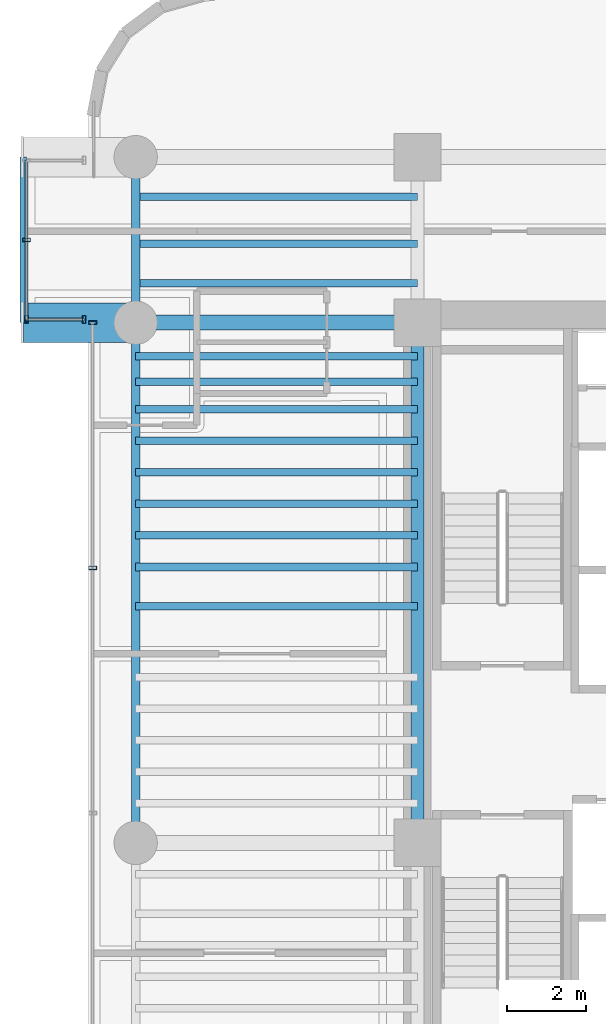
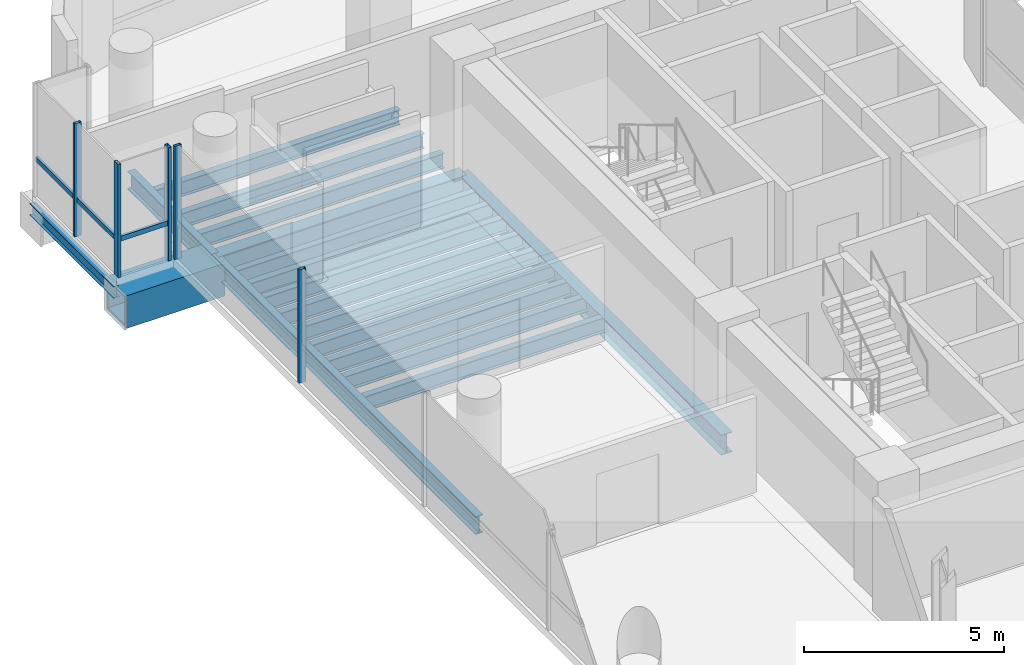
# One storey, part 8 of 35: 18 beams, 7 members, 3 elements without a shape of their own.
"""IFC4 building model written with IfcOpenShell, lengths in metres."""

from ifc_helpers import new_model, si_unit, direction, frame, origin, origin_2d, place, context, subcontext, project, spatial, hollow_rectangle, i_section, extrude, source, transform, mapped, material, material_profile, profile_set, type_object, element, aggregate, save


model = new_model("IFC4")

# Units and contexts
model_context = context("Model", 3, precision=1e-05, world=origin(), true_north=direction((0.0, 1.0)))
body_context = subcontext(model_context, "Body", "Model", "MODEL_VIEW")
ifc_project = project(units=[si_unit("LENGTHUNIT", "METRE"), si_unit("AREAUNIT", "SQUARE_METRE"), si_unit("VOLUMEUNIT", "CUBIC_METRE"), si_unit("PLANEANGLEUNIT", "RADIAN"), si_unit("MASSUNIT", "GRAM", prefix="KILO")], contexts=[model_context])

# Site, building, storey
site_placement = place(None, origin())
site = spatial("IfcSite", under=ifc_project, at=site_placement, CompositionType="ELEMENT")
building_placement = place(site_placement, origin())
building = spatial("IfcBuilding", under=site, at=building_placement, Name="Valdorenza Pilgrim Sanctuary Tower", CompositionType="ELEMENT")
storey_placement = place(building_placement, frame((0.0, 0.0, 124.199951171875)))
storey = spatial("IfcBuildingStorey", under=building, at=storey_placement, Name="L31", CompositionType="ELEMENT", Elevation=124.199951171875)

# Beams
ifc_material_1 = material(Name="Steel ASTM A992 Grade 50", Category="steel")
ifc_material_profile_1 = material_profile(ifc_material_1, i_section(OverallWidth=0.214111328125, OverallDepth=0.549072265625, WebThickness=0.0146484375, FlangeThickness=0.023681640625, at=origin_2d()), Name="W21X93")
ifc_profile_set_1 = profile_set([ifc_material_profile_1], Name="Steel ASTM A992 Grade 50")
beam_type_1 = type_object("IfcBeamType", Name="STR-BM-SPN-W21A", PredefinedType="SPANDREL", material=ifc_profile_set_1)
shared_shape_1 = source(origin(), body_context, "Body", "SweptSolid", [
    extrude(i_section(OverallWidth=0.214111328125, OverallDepth=0.549072265625, WebThickness=0.0146484375, FlangeThickness=0.023681640625, at=origin_2d()), origin(), (0.0, 0.0, 1.0), 13.2001953125),
])
beam_1_placement = place(storey_placement, frame((-29.800048828125, -2.60009765625, -0.514404296875), z_axis=(0.0, 1.0, 0.0), x_axis=(-1.0, 0.0, 0.0)))
element("IfcBeam", 1, at=beam_1_placement, inside=storey, type_object=beam_type_1, Name="L31 Spandrel Beam WA-W-M0N1", PredefinedType="SPANDREL", context=body_context, shape_type="MappedRepresentation", body=[
    mapped(shared_shape_1, transform((0.0, 0.0, 0.0), x_axis=(1.0, 0.0, 0.0), y_axis=(0.0, 1.0, 0.0), z_axis=(0.0, 0.0, 1.0), scale=1.0)),
])
ifc_material_profile_2 = material_profile(ifc_material_1, i_section(OverallWidth=0.323974609375, OverallDepth=0.611083984375, WebThickness=0.0126953125, FlangeThickness=0.01904296875, at=origin_2d()), Name="W24X104")
ifc_profile_set_2 = profile_set([ifc_material_profile_2], Name="Steel ASTM A992 Grade 50")
beam_type_2 = type_object("IfcBeamType", Name="STR-BM-GRD-W24B", PredefinedType="BEAM", material=ifc_profile_set_2)
shared_shape_2 = source(origin(), body_context, "Body", "SweptSolid", [
    extrude(i_section(OverallWidth=0.323974609375, OverallDepth=0.611083984375, WebThickness=0.0126953125, FlangeThickness=0.01904296875, at=origin_2d()), origin(), (0.0, 0.0, 1.0), 13.2001953125),
])
beam_2_placement = place(storey_placement, frame((-22.64990234375, -2.60009765625, -0.54541015625), z_axis=(0.0, 1.0, 0.0), x_axis=(-1.0, 0.0, 0.0)))
element("IfcBeam", 2, at=beam_2_placement, inside=storey, type_object=beam_type_2, Name="L31 Core Tie Girder CA-W-M0N1", PredefinedType="BEAM", context=body_context, shape_type="MappedRepresentation", body=[
    mapped(shared_shape_2, transform((0.0, 0.0, 0.0), x_axis=(1.0, 0.0, 0.0), y_axis=(0.0, 1.0, 0.0), z_axis=(0.0, 0.0, 1.0), scale=1.0)),
])
shared_shape_3 = source(origin(), body_context, "Body", "SweptSolid", [
    extrude(i_section(OverallWidth=0.214111328125, OverallDepth=0.549072265625, WebThickness=0.0146484375, FlangeThickness=0.023681640625, at=origin_2d()), origin(), (0.0, 0.0, 1.0), 4.199951171875),
])
beam_3_placement = place(storey_placement, frame((-29.800048828125, 10.60009765625, -0.514404296875), z_axis=(0.0, 1.0, 0.0), x_axis=(-1.0, 0.0, 0.0)))
element("IfcBeam", 3, at=beam_3_placement, inside=storey, type_object=beam_type_1, Name="L31 Spandrel Beam WA-W-N1N2", PredefinedType="SPANDREL", context=body_context, shape_type="MappedRepresentation", body=[
    mapped(shared_shape_3, transform((0.0, 0.0, 0.0), x_axis=(1.0, 0.0, 0.0), y_axis=(0.0, 1.0, 0.0), z_axis=(0.0, 0.0, 1.0), scale=1.0)),
])
ifc_material_profile_3 = material_profile(ifc_material_1, i_section(OverallWidth=0.1708984375, OverallDepth=0.35107421875, WebThickness=0.0068359375, FlangeThickness=0.009765625, at=origin_2d()), Name="W14X30")
ifc_profile_set_3 = profile_set([ifc_material_profile_3], Name="Steel ASTM A992 Grade 50")
beam_type_3 = type_object("IfcBeamType", Name="STR-BM-BOX-W14", PredefinedType="BEAM", material=ifc_profile_set_3)
shared_shape_4 = source(origin(), body_context, "Body", "SweptSolid", [
    extrude(i_section(OverallWidth=0.1708984375, OverallDepth=0.35107421875, WebThickness=0.0068359375, FlangeThickness=0.009765625, at=origin_2d()), origin(), (0.0, 0.0, 1.0), 4.199951171875),
])
beam_4_placement = place(storey_placement, frame((-32.64990234375, 10.60009765625, -0.41552734375), z_axis=(0.0, 1.0, 0.0), x_axis=(-1.0, 0.0, 0.0)))
element("IfcBeam", 4, at=beam_4_placement, inside=storey, type_object=beam_type_3, Name="L31 Glass Box Edge Beam BOX-WA-L31-F", PredefinedType="BEAM", context=body_context, shape_type="MappedRepresentation", body=[
    mapped(shared_shape_4, transform((0.0, 0.0, 0.0), x_axis=(1.0, 0.0, 0.0), y_axis=(0.0, 1.0, 0.0), z_axis=(0.0, 0.0, 1.0), scale=1.0)),
])
ifc_material_profile_4 = material_profile(ifc_material_1, i_section(OverallWidth=0.382080078125, OverallDepth=0.779052734375, WebThickness=0.01806640625, FlangeThickness=0.030029296875, at=origin_2d()), Name="W30X191")
ifc_profile_set_4 = profile_set([ifc_material_profile_4], Name="Steel ASTM A992 Grade 50")
beam_type_4 = type_object("IfcBeamType", Name="STR-BM-GRD-W30", PredefinedType="BEAM", material=ifc_profile_set_4)
shared_shape_5 = source(origin(), body_context, "Body", "SweptSolid", [
    extrude(i_section(OverallWidth=0.382080078125, OverallDepth=0.779052734375, WebThickness=0.01806640625, FlangeThickness=0.030029296875, at=origin_2d()), origin(), (0.0, 0.0, 1.0), 7.150146484375),
])
beam_5_placement = place(storey_placement, frame((-29.800048828125, 10.60009765625, -0.62939453125), z_axis=(1.0, 0.0, 0.0), x_axis=(0.0, 1.0, 0.0)))
element("IfcBeam", 5, at=beam_5_placement, inside=storey, type_object=beam_type_4, Name="L31 Floor Girder WA-XW-N1", PredefinedType="BEAM", context=body_context, shape_type="MappedRepresentation", body=[
    mapped(shared_shape_5, transform((0.0, 0.0, 0.0), x_axis=(1.0, 0.0, 0.0), y_axis=(0.0, 1.0, 0.0), z_axis=(0.0, 0.0, 1.0), scale=1.0)),
])
ifc_material_profile_5 = material_profile(ifc_material_1, i_section(OverallWidth=0.19091796875, OverallDepth=0.45703125, WebThickness=0.009033203125, FlangeThickness=0.014404296875, at=origin_2d()), Name="W18X50")
ifc_profile_set_5 = profile_set([ifc_material_profile_5], Name="Steel ASTM A992 Grade 50")
beam_type_5 = type_object("IfcBeamType", Name="STR-BM-JST-W18B", PredefinedType="JOIST", material=ifc_profile_set_5)
shared_shape_6 = source(origin(), body_context, "Body", "SweptSolid", [
    extrude(i_section(OverallWidth=0.19091796875, OverallDepth=0.45703125, WebThickness=0.009033203125, FlangeThickness=0.014404296875, at=origin_2d()), origin(), (0.0, 0.0, 1.0), 7.150146484375),
])
for number, where, z_axis, x_axis, name in (
    (6, (-29.800048828125, 3.39990234375, -0.468505859375), (1.0, 0.0, 0.0), (0.0, 1.0, 0.0), "L31 Composite Floor Joist JST-WA-15"),
    (7, (-29.800048828125, 4.39990234375, -0.468505859375), (1.0, 0.0, 0.0), (0.0, 1.0, 0.0), "L31 Composite Floor Joist JST-WA-16"),
    (8, (-29.800048828125, 5.199951171875, -0.468505859375), (1.0, 0.0, 0.0), (0.0, 1.0, 0.0), "L31 Composite Floor Joist JST-WA-17"),
    (9, (-29.800048828125, 6.0, -0.468505859375), (1.0, 0.0, 0.0), (0.0, 1.0, 0.0), "L31 Composite Floor Joist JST-WA-18"),
    (10, (-29.800048828125, 6.800048828125, -0.468505859375), (1.0, 0.0, 0.0), (0.0, 1.0, 0.0), "L31 Composite Floor Joist JST-WA-19"),
    (11, (-29.800048828125, 7.60009765625, -0.468505859375), (1.0, 0.0, 0.0), (0.0, 1.0, 0.0), "L31 Composite Floor Joist JST-WA-20"),
    (12, (-29.800048828125, 8.39990234375, -0.468505859375), (1.0, 0.0, 0.0), (0.0, 1.0, 0.0), "L31 Composite Floor Joist JST-WA-21"),
    (13, (-29.800048828125, 9.10009765625, -0.468505859375), (1.0, 0.0, 0.0), (0.0, 1.0, 0.0), "L31 Composite Floor Joist JST-WA-22"),
    (14, (-29.800048828125, 9.75, -0.468505859375), (1.0, 0.0, 0.0), (0.0, 1.0, 0.0), "L31 Composite Floor Joist JST-WA-23"),
    (15, (-29.800048828125, 11.60009765625, -0.468505859375), (1.0, 0.0, 0.0), (0.0, 1.0, 0.0), "L31 Composite Floor Joist JST-WA-24"),
    (16, (-29.800048828125, 12.60009765625, -0.468505859375), (1.0, 0.0, 0.0), (0.0, 1.0, 0.0), "L31 Composite Floor Joist JST-WA-25"),
    (17, (-29.800048828125, 13.800048828125, -0.468505859375), (1.0, 0.0, 0.0), (0.0, 1.0, 0.0), "L31 Composite Floor Joist JST-WA-26"),
):
    element("IfcBeam", number, at=place(storey_placement, frame(where, z_axis=z_axis, x_axis=x_axis)), inside=storey, type_object=beam_type_5, Name=name, PredefinedType="JOIST", context=body_context, shape_type="MappedRepresentation", body=[
        mapped(shared_shape_6, transform((0.0, 0.0, 0.0), x_axis=(1.0, 0.0, 0.0), y_axis=(0.0, 1.0, 0.0), z_axis=(0.0, 0.0, 1.0), scale=1.0)),
    ])
ifc_material_2 = material(Name="Steel ASTM A572 Grade 42", Category="steel")
ifc_material_profile_6 = material_profile(ifc_material_2, hollow_rectangle(XDim=1.0, YDim=1.0, WallThickness=0.080078125, at=origin_2d()), Name="BOX 1000x1000x80")
ifc_profile_set_6 = profile_set([ifc_material_profile_6], Name="Steel ASTM A572 Grade 42")
beam_type_6 = type_object("IfcBeamType", Name="STR-BM-PROW-CANT", PredefinedType="BEAM", material=ifc_profile_set_6)
shared_shape_7 = source(origin(), body_context, "Body", "SweptSolid", [
    extrude(hollow_rectangle(XDim=1.0, YDim=1.0, WallThickness=0.080078125, at=origin_2d()), origin(), (0.0, 0.0, 1.0), 2.849853515625),
])
beam_6_placement = place(storey_placement, frame((-29.800048828125, 10.60009765625, -0.739990234375), z_axis=(-1.0, 0.0, 0.0), x_axis=(0.0, -1.0, 0.0)))
element("IfcBeam", 18, at=beam_6_placement, inside=storey, type_object=beam_type_6, Name="L31 Glass Box Cantilever Beam BOX-WA-L31-CT-S", PredefinedType="BEAM", context=body_context, shape_type="MappedRepresentation", body=[
    mapped(shared_shape_7, transform((0.0, 0.0, 0.0), x_axis=(1.0, 0.0, 0.0), y_axis=(0.0, 1.0, 0.0), z_axis=(0.0, 0.0, 1.0), scale=1.0)),
])

# Curtain wall, members
ifc_material_3 = material(Name="Curtain-wall IGU glazing", Category="glass")
curtain_wall_type = type_object("IfcCurtainWallType", Name="CW-SYS-02", PredefinedType="NOTDEFINED", material=ifc_material_3)
curtain_wall_1_placement = place(storey_placement, origin())
curtain_wall_1 = element("IfcCurtainWall", 19, at=curtain_wall_1_placement, inside=storey, type_object=curtain_wall_type, Name="L31 Curtain Wall CW-L31-1-1S1", PredefinedType="NOTDEFINED")
ifc_material_4 = material(Name="Anodised aluminium AW-6060", Category="aluminium")
ifc_material_profile_7 = material_profile(ifc_material_4, hollow_rectangle(XDim=0.0849609375, YDim=0.199951171875, WallThickness=0.0048828125, at=origin_2d()), Name="ALU-M 200x85x5")
ifc_profile_set_7 = profile_set([ifc_material_profile_7], Name="Anodised aluminium AW-6060")
member_type_1 = type_object("IfcMemberType", Name="CW-MUL-02", PredefinedType="MULLION", material=ifc_profile_set_7)
shared_shape_8 = source(origin(), body_context, "Body", "SweptSolid", [
    extrude(hollow_rectangle(XDim=0.0849609375, YDim=0.199951171875, WallThickness=0.0048828125, at=origin_2d()), origin(), (0.0, 0.0, 1.0), 3.4599609375),
])
member_1_placement = place(storey_placement, frame((-30.889892578125, 4.377685546875, 0.0), z_axis=(0.0, 0.0, 1.0), x_axis=(0.0, 1.0, 0.0)))
member_1 = element("IfcMember", 20, at=member_1_placement, type_object=member_type_1, Name="CW-L31-1-1S1 Mullion 4", PredefinedType="MULLION", context=body_context, shape_type="MappedRepresentation", body=[
    mapped(shared_shape_8, transform((0.0, 0.0, 0.0), x_axis=(1.0, 0.0, 0.0), y_axis=(0.0, 1.0, 0.0), z_axis=(0.0, 0.0, 1.0), scale=1.0)),
])
member_2_placement = place(storey_placement, frame((-30.889892578125, 10.60009765625, 0.0), z_axis=(0.0, 0.0, 1.0), x_axis=(0.0, 1.0, 0.0)))
member_2 = element("IfcMember", 21, at=member_2_placement, type_object=member_type_1, Name="CW-L31-1-1S1 Mullion 5", PredefinedType="MULLION", context=body_context, shape_type="MappedRepresentation", body=[
    mapped(shared_shape_8, transform((0.0, 0.0, 0.0), x_axis=(1.0, 0.0, 0.0), y_axis=(0.0, 1.0, 0.0), z_axis=(0.0, 0.0, 1.0), scale=1.0)),
])
aggregate(curtain_wall_1, [member_1, member_2])

curtain_wall_2_placement = place(storey_placement, origin())
curtain_wall_2 = element("IfcCurtainWall", 22, at=curtain_wall_2_placement, inside=storey, type_object=curtain_wall_type, Name="L31 Curtain Wall CW-L31-BOX-WA-L31-S", PredefinedType="NOTDEFINED")
member_3_placement = place(storey_placement, frame((-31.110107421875, 10.679931640625, 0.0), z_axis=(0.0, 0.0, 1.0), x_axis=(-1.0, 0.0, 0.0)))
member_3 = element("IfcMember", 23, at=member_3_placement, type_object=member_type_1, Name="CW-L31-BOX-WA-L31-S Mullion 1", PredefinedType="MULLION", context=body_context, shape_type="MappedRepresentation", body=[
    mapped(shared_shape_8, transform((0.0, 0.0, 0.0), x_axis=(1.0, 0.0, 0.0), y_axis=(0.0, 1.0, 0.0), z_axis=(0.0, 0.0, 1.0), scale=1.0)),
])
member_4_placement = place(storey_placement, frame((-32.570068359375, 10.679931640625, 0.0), z_axis=(0.0, 0.0, 1.0), x_axis=(-1.0, 0.0, 0.0)))
member_4 = element("IfcMember", 24, at=member_4_placement, type_object=member_type_1, Name="CW-L31-BOX-WA-L31-S Mullion 2", PredefinedType="MULLION", context=body_context, shape_type="MappedRepresentation", body=[
    mapped(shared_shape_8, transform((0.0, 0.0, 0.0), x_axis=(1.0, 0.0, 0.0), y_axis=(0.0, 1.0, 0.0), z_axis=(0.0, 0.0, 1.0), scale=1.0)),
])

# Curtain wall, member
curtain_wall_3_placement = place(storey_placement, origin())
curtain_wall_3 = element("IfcCurtainWall", 25, at=curtain_wall_3_placement, inside=storey, type_object=curtain_wall_type, Name="L31 Curtain Wall CW-L31-BOX-WA-L31-F", PredefinedType="NOTDEFINED")
member_5_placement = place(storey_placement, frame((-32.570068359375, 12.699951171875, 0.0), z_axis=(0.0, 0.0, 1.0), x_axis=(0.0, 1.0, 0.0)))
member_5 = element("IfcMember", 26, at=member_5_placement, type_object=member_type_1, Name="CW-L31-BOX-WA-L31-F Mullion 2", PredefinedType="MULLION", context=body_context, shape_type="MappedRepresentation", body=[
    mapped(shared_shape_8, transform((0.0, 0.0, 0.0), x_axis=(1.0, 0.0, 0.0), y_axis=(0.0, 1.0, 0.0), z_axis=(0.0, 0.0, 1.0), scale=1.0)),
])

# Member
ifc_material_profile_8 = material_profile(ifc_material_4, hollow_rectangle(XDim=0.074951171875, YDim=0.14990234375, WallThickness=0.00390625, at=origin_2d()), Name="ALU-T 150x75x4")
ifc_profile_set_8 = profile_set([ifc_material_profile_8], Name="Anodised aluminium AW-6060")
member_type_2 = type_object("IfcMemberType", Name="CW-TRN-02", PredefinedType="USERDEFINED", material=ifc_profile_set_8)
shared_shape_9 = source(origin(), body_context, "Body", "SweptSolid", [
    extrude(hollow_rectangle(XDim=0.074951171875, YDim=0.14990234375, WallThickness=0.00390625, at=origin_2d()), origin(), (0.0, 0.0, 1.0), 1.4599609375),
])
member_6_placement = place(storey_placement, frame((-31.110107421875, 10.679931640625, 1.1201171875), z_axis=(-1.0, 0.0, 0.0), x_axis=(0.0, -1.0, 0.0)))
member_6 = element("IfcMember", 27, at=member_6_placement, type_object=member_type_2, Name="CW-L31-BOX-WA-L31-S Transom 1", ObjectType="TRANSOM", PredefinedType="USERDEFINED", context=body_context, shape_type="MappedRepresentation", body=[
    mapped(shared_shape_9, transform((0.0, 0.0, 0.0), x_axis=(1.0, 0.0, 0.0), y_axis=(0.0, 1.0, 0.0), z_axis=(0.0, 0.0, 1.0), scale=1.0)),
])

aggregate(curtain_wall_2, [member_3, member_4, member_6])

shared_shape_10 = source(origin(), body_context, "Body", "SweptSolid", [
    extrude(hollow_rectangle(XDim=0.074951171875, YDim=0.14990234375, WallThickness=0.00390625, at=origin_2d()), origin(), (0.0, 0.0, 1.0), 4.0400390625),
])
member_7_placement = place(storey_placement, frame((-32.570068359375, 10.679931640625, 1.1201171875), z_axis=(0.0, 1.0, 0.0), x_axis=(-1.0, 0.0, 0.0)))
member_7 = element("IfcMember", 28, at=member_7_placement, type_object=member_type_2, Name="CW-L31-BOX-WA-L31-F Transom 1", ObjectType="TRANSOM", PredefinedType="USERDEFINED", context=body_context, shape_type="MappedRepresentation", body=[
    mapped(shared_shape_10, transform((0.0, 0.0, 0.0), x_axis=(1.0, 0.0, 0.0), y_axis=(0.0, 1.0, 0.0), z_axis=(0.0, 0.0, 1.0), scale=1.0)),
])

aggregate(curtain_wall_3, [member_5, member_7])

save(model, "model.ifc")
